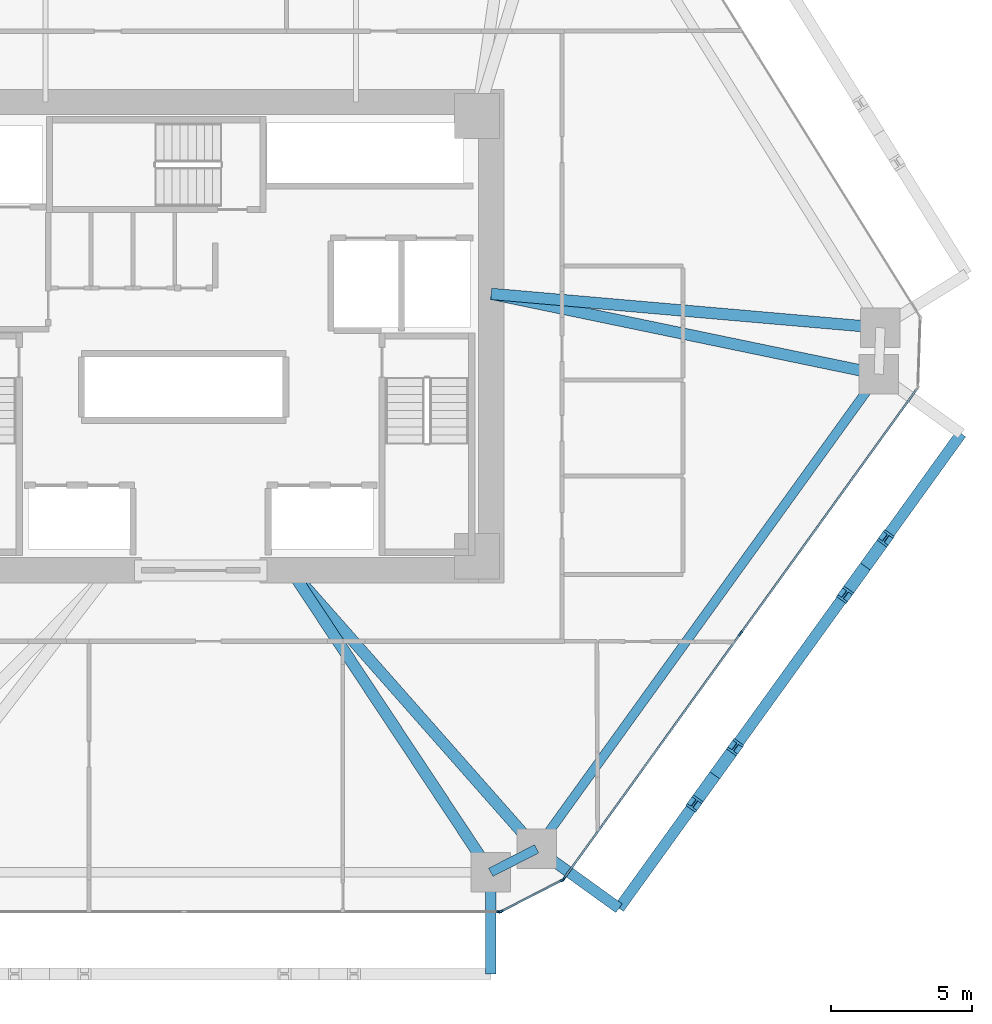
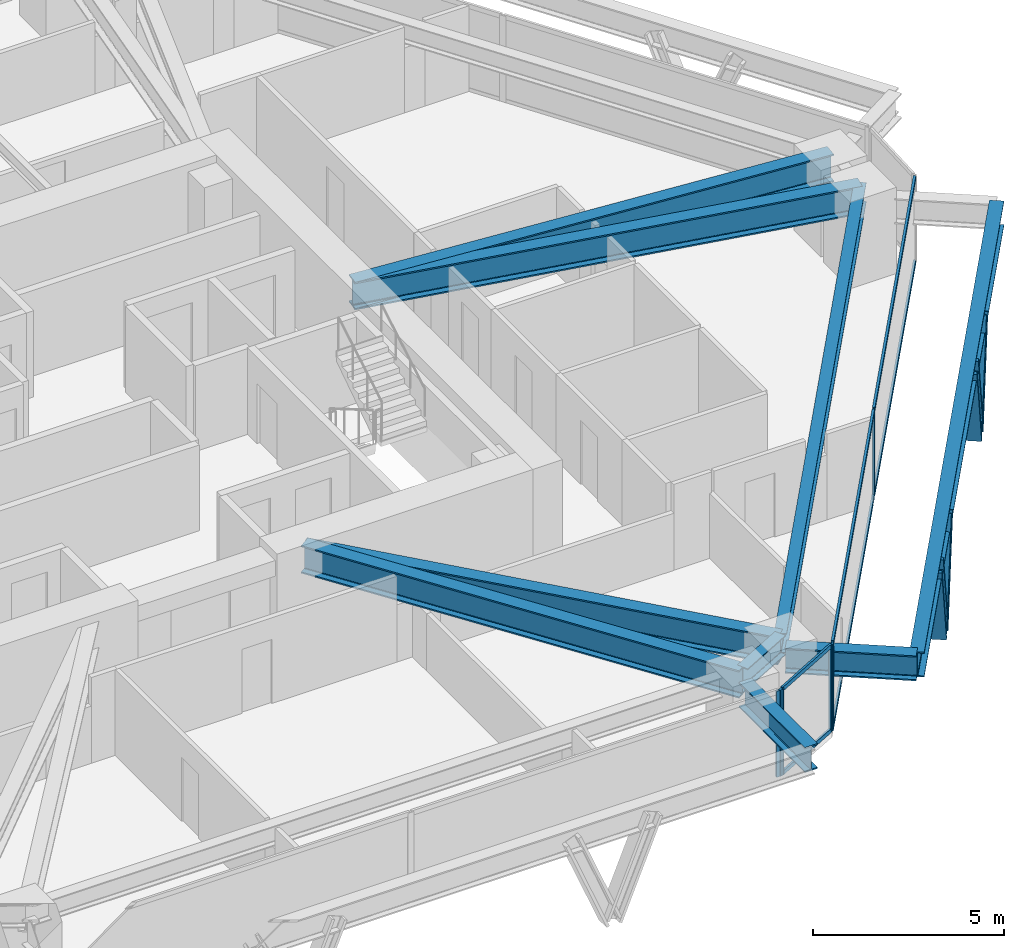
# One storey, part 5 of 15: 15 members, 9 beams, 3 elements without a shape of their own.
"""IFC4 building model written with IfcOpenShell, lengths in metres."""

from ifc_helpers import new_model, si_unit, direction, frame, origin, origin_2d, place, context, subcontext, project, spatial, rectangle, i_section, extrude, source, transform, mapped, material, layer, layer_set, material_profile, profile_set, type_object, type_shapes, element, aggregate, save


model = new_model("IFC4")

# Units and contexts
model_context = context("Model", 3, precision=1e-05, world=origin(), true_north=direction((0.0, 1.0)))
body_context = subcontext(model_context, "Body", "Model", "MODEL_VIEW")
ifc_project = project(units=[si_unit("LENGTHUNIT", "METRE"), si_unit("AREAUNIT", "SQUARE_METRE"), si_unit("VOLUMEUNIT", "CUBIC_METRE"), si_unit("PLANEANGLEUNIT", "RADIAN"), si_unit("MASSUNIT", "GRAM", prefix="KILO")], contexts=[model_context])

# Site, building, storey
site_placement = place(None, origin())
site = spatial("IfcSite", under=ifc_project, at=site_placement, CompositionType="ELEMENT")
building_placement = place(site_placement, origin())
building = spatial("IfcBuilding", under=site, at=building_placement, Name="Durnholm Broadcast Tower", CompositionType="ELEMENT")
storey_placement = place(building_placement, frame((0.0, 0.0, 81.300048828125)))
storey = spatial("IfcBuildingStorey", under=building, at=storey_placement, Name="L21", CompositionType="ELEMENT", Elevation=81.300048828125)

# Beams
ifc_material_1 = material(Name="Steel ASTM A992 Grade 50", Category="steel")
ifc_material_profile_1 = material_profile(ifc_material_1, i_section(OverallWidth=0.3291015625, OverallDepth=0.635009765625, WebThickness=0.017822265625, FlangeThickness=0.031005859375, FilletRadius=0.02783203125, at=origin_2d()), Name="W24X162")
ifc_profile_set_1 = profile_set([ifc_material_profile_1], Name="Steel ASTM A992 Grade 50")
beam_type_1 = type_object("IfcBeamType", Name="STL-SP-W24X162", PredefinedType="SPANDREL", material=ifc_profile_set_1)
shared_shape_1 = source(origin(), body_context, "Body", "SweptSolid", [
    extrude(i_section(OverallWidth=0.3291015625, OverallDepth=0.635009765625, WebThickness=0.017822265625, FlangeThickness=0.031005859375, FilletRadius=0.02783203125, at=origin_2d()), origin(), (0.0, 0.0, 1.0), 20.737060546875),
])
beam_1_placement = place(storey_placement, frame((24.034912109375, -1.347412109375, 2.427490234375), z_axis=(-0.584821933191, -0.811161701795, 0.0), x_axis=(0.811161701795, -0.584821933191, 0.0)))
element("IfcBeam", 1, at=beam_1_placement, inside=storey, type_object=beam_type_1, Name="L21 perimeter spandrel girder 09", PredefinedType="SPANDREL", context=body_context, shape_type="MappedRepresentation", body=[
    mapped(shared_shape_1, transform((0.0, 0.0, 0.0), x_axis=(1.0, 0.0, 0.0), y_axis=(0.0, 1.0, 0.0), z_axis=(0.0, 0.0, 1.0), scale=1.0)),
])
shared_shape_2 = source(origin(), body_context, "Body", "SweptSolid", [
    extrude(i_section(OverallWidth=0.3291015625, OverallDepth=0.635009765625, WebThickness=0.017822265625, FlangeThickness=0.031005859375, FilletRadius=0.02783203125, at=origin_2d()), origin(), (0.0, 0.0, 1.0), 1.8251953125),
])
type_shapes(beam_type_1, [shared_shape_1, shared_shape_2])
beam_2_placement = place(storey_placement, frame((11.907470703125, -18.16845703125, 2.427490234375), z_axis=(-0.890187609501, -0.455594139438, 0.0), x_axis=(0.455594139438, -0.890187609501, 0.0)))
element("IfcBeam", 2, at=beam_2_placement, inside=storey, type_object=beam_type_1, Name="L21 perimeter spandrel girder 10", PredefinedType="SPANDREL", context=body_context, shape_type="MappedRepresentation", body=[
    mapped(shared_shape_2, transform((0.0, 0.0, 0.0), x_axis=(1.0, 0.0, 0.0), y_axis=(0.0, 1.0, 0.0), z_axis=(0.0, 0.0, 1.0), scale=1.0)),
])
ifc_material_profile_2 = material_profile(ifc_material_1, i_section(OverallWidth=0.404052734375, OverallDepth=0.885009765625, WebThickness=0.0244140625, FlangeThickness=0.0439453125, FilletRadius=0.03564453125, at=origin_2d()), Name="W33X291")
ifc_profile_set_2 = profile_set([ifc_material_profile_2], Name="Steel ASTM A992 Grade 50")
beam_type_2 = type_object("IfcBeamType", Name="STL-GR-W33X291", PredefinedType="USERDEFINED", material=ifc_profile_set_2)
shared_shape_3 = source(origin(), body_context, "Body", "SweptSolid", [
    extrude(i_section(OverallWidth=0.404052734375, OverallDepth=0.885009765625, WebThickness=0.0244140625, FlangeThickness=0.0439453125, FilletRadius=0.03564453125, at=origin_2d()), origin(), (0.0, 0.0, 1.0), 13.843017578125),
])
beam_3_placement = place(storey_placement, frame((10.300048828125, 1.5, 2.302490234375), z_axis=(0.996234364864, -0.086701154915, 0.0), x_axis=(0.086701154915, 0.996234364864, 0.0)))
element("IfcBeam", 3, at=beam_3_placement, inside=storey, type_object=beam_type_2, Name="L21 radial primary floor girder 08", ObjectType="GIRDER", PredefinedType="USERDEFINED", context=body_context, shape_type="MappedRepresentation", body=[
    mapped(shared_shape_3, transform((0.0, 0.0, 0.0), x_axis=(1.0, 0.0, 0.0), y_axis=(0.0, 1.0, 0.0), z_axis=(0.0, 0.0, 1.0), scale=1.0)),
])
shared_shape_4 = source(origin(), body_context, "Body", "SweptSolid", [
    extrude(i_section(OverallWidth=0.404052734375, OverallDepth=0.885009765625, WebThickness=0.0244140625, FlangeThickness=0.0439453125, FilletRadius=0.03564453125, at=origin_2d()), origin(), (0.0, 0.0, 1.0), 14.02685546875),
])
beam_4_placement = place(storey_placement, frame((10.300048828125, 1.5, 2.302490234375), z_axis=(0.979179487914, -0.202996380382, 0.0), x_axis=(0.202996380382, 0.979179487914, 0.0)))
element("IfcBeam", 4, at=beam_4_placement, inside=storey, type_object=beam_type_2, Name="L21 radial primary floor girder 09", ObjectType="GIRDER", PredefinedType="USERDEFINED", context=body_context, shape_type="MappedRepresentation", body=[
    mapped(shared_shape_4, transform((0.0, 0.0, 0.0), x_axis=(1.0, 0.0, 0.0), y_axis=(0.0, 1.0, 0.0), z_axis=(0.0, 0.0, 1.0), scale=1.0)),
])
shared_shape_5 = source(origin(), body_context, "Body", "SweptSolid", [
    extrude(i_section(OverallWidth=0.404052734375, OverallDepth=0.885009765625, WebThickness=0.0244140625, FlangeThickness=0.0439453125, FilletRadius=0.03564453125, at=origin_2d()), origin(), (0.0, 0.0, 1.0), 13.160888671875),
])
beam_5_placement = place(storey_placement, frame((3.199951171875, -8.300048828125, 2.302490234375), z_axis=(0.661625931866, -0.749834065832, 0.0), x_axis=(0.749834065832, 0.661625931866, 0.0)))
element("IfcBeam", 5, at=beam_5_placement, inside=storey, type_object=beam_type_2, Name="L21 radial primary floor girder 10", ObjectType="GIRDER", PredefinedType="USERDEFINED", context=body_context, shape_type="MappedRepresentation", body=[
    mapped(shared_shape_5, transform((0.0, 0.0, 0.0), x_axis=(1.0, 0.0, 0.0), y_axis=(0.0, 1.0, 0.0), z_axis=(0.0, 0.0, 1.0), scale=1.0)),
])
shared_shape_6 = source(origin(), body_context, "Body", "SweptSolid", [
    extrude(i_section(OverallWidth=0.404052734375, OverallDepth=0.885009765625, WebThickness=0.0244140625, FlangeThickness=0.0439453125, FilletRadius=0.03564453125, at=origin_2d()), origin(), (0.0, 0.0, 1.0), 12.831787109375),
])
type_shapes(beam_type_2, [shared_shape_3, shared_shape_4, shared_shape_5, shared_shape_6])
beam_6_placement = place(storey_placement, frame((3.199951171875, -8.300048828125, 2.302490234375), z_axis=(0.551970609544, -0.833863565699, 0.0), x_axis=(0.833863565699, 0.551970609544, 0.0)))
element("IfcBeam", 6, at=beam_6_placement, inside=storey, type_object=beam_type_2, Name="L21 radial primary floor girder 11", ObjectType="GIRDER", PredefinedType="USERDEFINED", context=body_context, shape_type="MappedRepresentation", body=[
    mapped(shared_shape_6, transform((0.0, 0.0, 0.0), x_axis=(1.0, 0.0, 0.0), y_axis=(0.0, 1.0, 0.0), z_axis=(0.0, 0.0, 1.0), scale=1.0)),
])
ifc_material_profile_3 = material_profile(ifc_material_1, i_section(OverallWidth=0.385009765625, OverallDepth=0.802978515625, WebThickness=0.023681640625, FlangeThickness=0.0419921875, FilletRadius=0.032958984375, at=origin_2d()), Name="W30X261")
ifc_profile_set_3 = profile_set([ifc_material_profile_3], Name="Steel ASTM A992 Grade 50")
beam_type_3 = type_object("IfcBeamType", Name="BM-EXO-TIE", PredefinedType="USERDEFINED", material=ifc_profile_set_3)
shared_shape_7 = source(origin(), body_context, "Body", "SweptSolid", [
    extrude(i_section(OverallWidth=0.385009765625, OverallDepth=0.802978515625, WebThickness=0.023681640625, FlangeThickness=0.0419921875, FilletRadius=0.032958984375, at=origin_2d()), origin(), (0.0, 0.0, 1.0), 3.4560546875),
])
for number, where, z_axis, x_axis, name in (
    (7, (10.28271484375, -19.14404296875, 2.008544921875), (0.0, -1.0, 0.0), (1.0, 0.0, 0.0), "L21 exoskeleton stand-off tie bracket F1.2"),
    (8, (12.024169921875, -18.252685546875, 2.008544921875), (0.811157675106, -0.584827518262, 0.0), (0.584827518262, 0.811157675106, 0.0), "L21 exoskeleton stand-off tie bracket F2.1"),
):
    element("IfcBeam", number, at=place(storey_placement, frame(where, z_axis=z_axis, x_axis=x_axis)), inside=storey, type_object=beam_type_3, Name=name, ObjectType="GIRDER", PredefinedType="USERDEFINED", context=body_context, shape_type="MappedRepresentation", body=[
        mapped(shared_shape_7, transform((0.0, 0.0, 0.0), x_axis=(1.0, 0.0, 0.0), y_axis=(0.0, 1.0, 0.0), z_axis=(0.0, 0.0, 1.0), scale=1.0)),
    ])
shared_shape_8 = source(origin(), body_context, "Body", "SweptSolid", [
    extrude(i_section(OverallWidth=0.385009765625, OverallDepth=0.802978515625, WebThickness=0.023681640625, FlangeThickness=0.0419921875, FilletRadius=0.032958984375, at=origin_2d()), origin(), (0.0, 0.0, 1.0), 20.737060546875),
])
type_shapes(beam_type_3, [shared_shape_7, shared_shape_8])
beam_7_placement = place(storey_placement, frame((14.82763671875, -20.27392578125, 2.008544921875), z_axis=(0.5848163482, 0.811165728368, 0.0), x_axis=(-0.811165728368, 0.5848163482, 0.0)))
element("IfcBeam", 9, at=beam_7_placement, inside=storey, type_object=beam_type_3, Name="L21 exoskeleton collector spandrel F2", PredefinedType="SPANDREL", context=body_context, shape_type="MappedRepresentation", body=[
    mapped(shared_shape_8, transform((0.0, 0.0, 0.0), x_axis=(1.0, 0.0, 0.0), y_axis=(0.0, 1.0, 0.0), z_axis=(0.0, 0.0, 1.0), scale=1.0)),
])

# Members
ifc_material_2 = material(Name="Steel ASTM A913 Grade 65", Category="steel")
ifc_material_profile_4 = material_profile(ifc_material_2, i_section(OverallWidth=0.43212890625, OverallDepth=0.497802734375, WebThickness=0.0556640625, FlangeThickness=0.0888671875, FilletRadius=0.030517578125, at=origin_2d()), Name="W14X500")
ifc_profile_set_4 = profile_set([ifc_material_profile_4], Name="Steel ASTM A913 Grade 65")
member_type_1 = type_object("IfcMemberType", Name="STL-DG-W14X500", PredefinedType="BRACE", material=ifc_profile_set_4)
shared_shape_9 = source(origin(), body_context, "Body", "SweptSolid", [
    extrude(i_section(OverallWidth=0.43212890625, OverallDepth=0.497802734375, WebThickness=0.0556640625, FlangeThickness=0.0888671875, FilletRadius=0.030517578125, at=origin_2d()), origin(), (0.0, 0.0, 1.0), 3.243896484375),
])
for number, where, z_axis, x_axis, name in (
    (10, (18.223388671875, -15.56396484375, -0.991455078125), (-0.222479198439, -0.308505492017, 0.924839103659), (0.81109123444, -0.58491966065, 0.0), "L21 stand-off diagrid brace F2.D1.1"),
    (11, (23.5595703125, -8.16259765625, -0.991455078125), (-0.222479198439, -0.308505492017, 0.924839103659), (0.81109123444, -0.58491966065, 0.0), "L21 stand-off diagrid brace F2.D2.1"),
):
    element("IfcMember", number, at=place(storey_placement, frame(where, z_axis=z_axis, x_axis=x_axis)), inside=storey, type_object=member_type_1, Name=name, PredefinedType="BRACE", context=body_context, shape_type="MappedRepresentation", body=[
        mapped(shared_shape_9, transform((0.0, 0.0, 0.0), x_axis=(1.0, 0.0, 0.0), y_axis=(0.0, 1.0, 0.0), z_axis=(0.0, 0.0, 1.0), scale=1.0)),
    ])
shared_shape_10 = source(origin(), body_context, "Body", "SweptSolid", [
    extrude(i_section(OverallWidth=0.43212890625, OverallDepth=0.497802734375, WebThickness=0.0556640625, FlangeThickness=0.0888671875, FilletRadius=0.030517578125, at=origin_2d()), origin(), (0.0, 0.0, 1.0), 3.24365234375),
])
type_shapes(member_type_1, [shared_shape_9, shared_shape_10])
for number, where, z_axis, x_axis, name in (
    (12, (18.223388671875, -15.56396484375, -0.991455078125), (0.222407658365, 0.308510657069, 0.924854587476), (-0.811185111535, 0.584789461963, 0.0), "L21 stand-off diagrid brace F2.D1.2"),
    (13, (23.5595703125, -8.16259765625, -0.991455078125), (0.222407658365, 0.308510657069, 0.924854587476), (-0.811185111535, 0.584789461963, 0.0), "L21 stand-off diagrid brace F2.D2.2"),
):
    element("IfcMember", number, at=place(storey_placement, frame(where, z_axis=z_axis, x_axis=x_axis)), inside=storey, type_object=member_type_1, Name=name, PredefinedType="BRACE", context=body_context, shape_type="MappedRepresentation", body=[
        mapped(shared_shape_10, transform((0.0, 0.0, 0.0), x_axis=(1.0, 0.0, 0.0), y_axis=(0.0, 1.0, 0.0), z_axis=(0.0, 0.0, 1.0), scale=1.0)),
    ])

# Curtain wall, members
ifc_material_3 = material(Name="Aluminium and Solar Control IGU", Category="aluminium")
ifc_layer_1 = layer(ifc_material_3, 0.1650390625)
ifc_layer_set_1 = layer_set([ifc_layer_1], Name="Aluminium and Solar Control IGU")
curtain_wall_type_1 = type_object("IfcCurtainWallType", Name="CW-SYS-5", PredefinedType="NOTDEFINED", material=ifc_layer_set_1)
curtain_wall_1_placement = place(storey_placement, origin())
curtain_wall_1 = element("IfcCurtainWall", 14, at=curtain_wall_1_placement, inside=storey, type_object=curtain_wall_type_1, Name="L21 curtain wall CW-CORNER CW-L21-CRN-09", PredefinedType="NOTDEFINED")
ifc_material_4 = material(Name="Aluminium 6063-T6", Category="aluminium")
ifc_material_profile_5 = material_profile(ifc_material_4, rectangle(XDim=0.06494140625, YDim=0.1298828125, at=origin_2d()), Name="CWT65X130")
ifc_profile_set_5 = profile_set([ifc_material_profile_5], Name="Aluminium 6063-T6")
member_type_2 = type_object("IfcMemberType", Name="CW-SYS-5-TRN", PredefinedType="USERDEFINED", material=ifc_profile_set_5)
shared_shape_11 = source(origin(), body_context, "Body", "SweptSolid", [
    extrude(rectangle(XDim=0.06494140625, YDim=0.1298828125, at=origin_2d()), origin(), (0.0, 0.0, 1.0), 2.3701171875),
])
type_shapes(member_type_2, [shared_shape_11])
member_1_placement = place(storey_placement, frame((12.787841796875, -19.29052734375, 0.032470703125), z_axis=(-0.890185016934, -0.455599205033, 0.0), x_axis=(0.455599205033, -0.890185016934, 0.0)))
member_1 = element("IfcMember", 15, at=member_1_placement, type_object=member_type_2, Name="CW-CORNER transom 1.1", ObjectType="TRANSOM", PredefinedType="USERDEFINED", context=body_context, shape_type="MappedRepresentation", body=[
    mapped(shared_shape_11, transform((0.0, 0.0, 0.0), x_axis=(1.0, 0.0, 0.0), y_axis=(0.0, 1.0, 0.0), z_axis=(0.0, 0.0, 1.0), scale=1.0)),
])
member_2_placement = place(storey_placement, frame((12.787841796875, -19.29052734375, 2.7275390625), z_axis=(-0.890185016934, -0.455599205033, 0.0), x_axis=(0.455599205033, -0.890185016934, 0.0)))
member_2 = element("IfcMember", 16, at=member_2_placement, type_object=member_type_2, Name="CW-CORNER transom 1.2", ObjectType="TRANSOM", PredefinedType="USERDEFINED", context=body_context, shape_type="MappedRepresentation", body=[
    mapped(shared_shape_11, transform((0.0, 0.0, 0.0), x_axis=(1.0, 0.0, 0.0), y_axis=(0.0, 1.0, 0.0), z_axis=(0.0, 0.0, 1.0), scale=1.0)),
])

ifc_layer_2 = layer(ifc_material_3, 0.18994140625)
ifc_layer_set_2 = layer_set([ifc_layer_2], Name="Aluminium and Solar Control IGU")
curtain_wall_type_2 = type_object("IfcCurtainWallType", Name="CW-SYS-3", PredefinedType="NOTDEFINED", material=ifc_layer_set_2)
curtain_wall_2_placement = place(storey_placement, origin())
curtain_wall_2 = element("IfcCurtainWall", 17, at=curtain_wall_2_placement, inside=storey, type_object=curtain_wall_type_2, Name="L21 curtain wall CW-Z12-VIS CW-L21-F08", PredefinedType="NOTDEFINED")
ifc_material_profile_6 = material_profile(ifc_material_4, rectangle(XDim=0.070068359375, YDim=0.14990234375, at=origin_2d()), Name="CWT70X150")
ifc_profile_set_6 = profile_set([ifc_material_profile_6], Name="Aluminium 6063-T6")
member_type_3 = type_object("IfcMemberType", Name="CW-SYS-3-TRN", PredefinedType="USERDEFINED", material=ifc_profile_set_6)
shared_shape_12 = source(origin(), body_context, "Body", "SweptSolid", [
    extrude(rectangle(XDim=0.070068359375, YDim=0.14990234375, at=origin_2d()), origin(), (0.0, 0.0, 1.0), 10.6455078125),
])
member_3_placement = place(storey_placement, frame((25.37890625, -1.877197265625, 0.034912109375), z_axis=(-0.584812103659, -0.811168788486, 0.0), x_axis=(0.811168788486, -0.584812103659, 0.0)))
member_3 = element("IfcMember", 18, at=member_3_placement, type_object=member_type_3, Name="CW-Z12-VIS transom 1.1", ObjectType="TRANSOM", PredefinedType="USERDEFINED", context=body_context, shape_type="MappedRepresentation", body=[
    mapped(shared_shape_12, transform((0.0, 0.0, 0.0), x_axis=(1.0, 0.0, 0.0), y_axis=(0.0, 1.0, 0.0), z_axis=(0.0, 0.0, 1.0), scale=1.0)),
])
member_4_placement = place(storey_placement, frame((25.37890625, -1.877197265625, 2.724853515625), z_axis=(-0.584812103659, -0.811168788486, 0.0), x_axis=(0.811168788486, -0.584812103659, 0.0)))
member_4 = element("IfcMember", 19, at=member_4_placement, type_object=member_type_3, Name="CW-Z12-VIS transom 1.2", ObjectType="TRANSOM", PredefinedType="USERDEFINED", context=body_context, shape_type="MappedRepresentation", body=[
    mapped(shared_shape_12, transform((0.0, 0.0, 0.0), x_axis=(1.0, 0.0, 0.0), y_axis=(0.0, 1.0, 0.0), z_axis=(0.0, 0.0, 1.0), scale=1.0)),
])
shared_shape_13 = source(origin(), body_context, "Body", "SweptSolid", [
    extrude(rectangle(XDim=0.070068359375, YDim=0.14990234375, at=origin_2d()), origin(), (0.0, 0.0, 1.0), 10.645263671875),
])
type_shapes(member_type_3, [shared_shape_12, shared_shape_13])
member_5_placement = place(storey_placement, frame((19.1123046875, -10.569091796875, 0.034912109375), z_axis=(-0.584822983179, -0.811160944786, 0.0), x_axis=(0.811160944786, -0.584822983179, 0.0)))
member_5 = element("IfcMember", 20, at=member_5_placement, type_object=member_type_3, Name="CW-Z12-VIS transom 2.1", ObjectType="TRANSOM", PredefinedType="USERDEFINED", context=body_context, shape_type="MappedRepresentation", body=[
    mapped(shared_shape_13, transform((0.0, 0.0, 0.0), x_axis=(1.0, 0.0, 0.0), y_axis=(0.0, 1.0, 0.0), z_axis=(0.0, 0.0, 1.0), scale=1.0)),
])
member_6_placement = place(storey_placement, frame((19.1123046875, -10.569091796875, 2.724853515625), z_axis=(-0.584822983179, -0.811160944786, 0.0), x_axis=(0.811160944786, -0.584822983179, 0.0)))
member_6 = element("IfcMember", 21, at=member_6_placement, type_object=member_type_3, Name="CW-Z12-VIS transom 2.2", ObjectType="TRANSOM", PredefinedType="USERDEFINED", context=body_context, shape_type="MappedRepresentation", body=[
    mapped(shared_shape_13, transform((0.0, 0.0, 0.0), x_axis=(1.0, 0.0, 0.0), y_axis=(0.0, 1.0, 0.0), z_axis=(0.0, 0.0, 1.0), scale=1.0)),
])

# Member
ifc_material_profile_7 = material_profile(ifc_material_4, rectangle(XDim=0.06494140625, YDim=0.1650390625, at=origin_2d()), Name="CWM65X165")
ifc_profile_set_7 = profile_set([ifc_material_profile_7], Name="Aluminium 6063-T6")
member_type_4 = type_object("IfcMemberType", Name="CW-SYS-5-MUL", PredefinedType="MULLION", material=ifc_profile_set_7)
shared_shape_14 = source(origin(), body_context, "Body", "SweptSolid", [
    extrude(rectangle(XDim=0.06494140625, YDim=0.1650390625, at=origin_2d()), origin(), (0.0, 0.0, 1.0), 2.760009765625),
])
type_shapes(member_type_4, [shared_shape_14])
member_7_placement = place(storey_placement, frame((12.816650390625, -19.27587890625, 0.0), z_axis=(0.0, 0.0, 1.0), x_axis=(0.455593758406, -0.890187804512, 0.0)))
member_7 = element("IfcMember", 22, at=member_7_placement, type_object=member_type_4, Name="CW-CORNER mullion 1", PredefinedType="MULLION", context=body_context, shape_type="MappedRepresentation", body=[
    mapped(shared_shape_14, transform((0.0, 0.0, 0.0), x_axis=(1.0, 0.0, 0.0), y_axis=(0.0, 1.0, 0.0), z_axis=(0.0, 0.0, 1.0), scale=1.0)),
])

member_8_placement = place(storey_placement, frame((10.649169921875, -20.38525390625, 0.0), z_axis=(0.0, 0.0, 1.0), x_axis=(0.455593758406, -0.890187804512, 0.0)))
member_8 = element("IfcMember", 23, at=member_8_placement, type_object=member_type_4, Name="CW-CORNER mullion 2", PredefinedType="MULLION", context=body_context, shape_type="MappedRepresentation", body=[
    mapped(shared_shape_14, transform((0.0, 0.0, 0.0), x_axis=(1.0, 0.0, 0.0), y_axis=(0.0, 1.0, 0.0), z_axis=(0.0, 0.0, 1.0), scale=1.0)),
])

aggregate(curtain_wall_1, [member_7, member_8, member_1, member_2])

ifc_material_profile_8 = material_profile(ifc_material_4, rectangle(XDim=0.070068359375, YDim=0.18994140625, at=origin_2d()), Name="CWM70X190")
ifc_profile_set_8 = profile_set([ifc_material_profile_8], Name="Aluminium 6063-T6")
member_type_5 = type_object("IfcMemberType", Name="CW-SYS-3-MUL", PredefinedType="MULLION", material=ifc_profile_set_8)
shared_shape_15 = source(origin(), body_context, "Body", "SweptSolid", [
    extrude(rectangle(XDim=0.070068359375, YDim=0.18994140625, at=origin_2d()), origin(), (0.0, 0.0, 1.0), 2.760009765625),
])
type_shapes(member_type_5, [shared_shape_15])
member_9_placement = place(storey_placement, frame((19.1328125, -10.540771484375, 0.0), z_axis=(0.0, 0.0, 1.0), x_axis=(0.81116057493, -0.584823496176, 0.0)))
member_9 = element("IfcMember", 24, at=member_9_placement, type_object=member_type_5, Name="CW-Z12-VIS mullion 2", PredefinedType="MULLION", context=body_context, shape_type="MappedRepresentation", body=[
    mapped(shared_shape_15, transform((0.0, 0.0, 0.0), x_axis=(1.0, 0.0, 0.0), y_axis=(0.0, 1.0, 0.0), z_axis=(0.0, 0.0, 1.0), scale=1.0)),
])

member_10_placement = place(storey_placement, frame((12.8662109375, -19.232666015625, 0.0), z_axis=(0.0, 0.0, 1.0), x_axis=(0.81116057493, -0.584823496176, 0.0)))
member_10 = element("IfcMember", 25, at=member_10_placement, type_object=member_type_5, Name="CW-Z12-VIS mullion 3", PredefinedType="MULLION", context=body_context, shape_type="MappedRepresentation", body=[
    mapped(shared_shape_15, transform((0.0, 0.0, 0.0), x_axis=(1.0, 0.0, 0.0), y_axis=(0.0, 1.0, 0.0), z_axis=(0.0, 0.0, 1.0), scale=1.0)),
])

aggregate(curtain_wall_2, [member_9, member_10, member_3, member_4, member_5, member_6])

# Curtain wall, member
curtain_wall_3_placement = place(storey_placement, origin())
curtain_wall_3 = element("IfcCurtainWall", 26, at=curtain_wall_3_placement, inside=storey, type_object=curtain_wall_type_2, Name="L21 curtain wall CW-Z12-VIS CW-L21-F10", PredefinedType="NOTDEFINED")
member_11_placement = place(storey_placement, frame((10.585205078125, -20.39990234375, 0.0), z_axis=(0.0, 0.0, 1.0), x_axis=(0.0, -1.0, 0.0)))
member_11 = element("IfcMember", 27, at=member_11_placement, type_object=member_type_5, Name="CW-Z12-VIS mullion 1", PredefinedType="MULLION", context=body_context, shape_type="MappedRepresentation", body=[
    mapped(shared_shape_15, transform((0.0, 0.0, 0.0), x_axis=(1.0, 0.0, 0.0), y_axis=(0.0, 1.0, 0.0), z_axis=(0.0, 0.0, 1.0), scale=1.0)),
])
aggregate(curtain_wall_3, [member_11])

save(model, "model.ifc")
